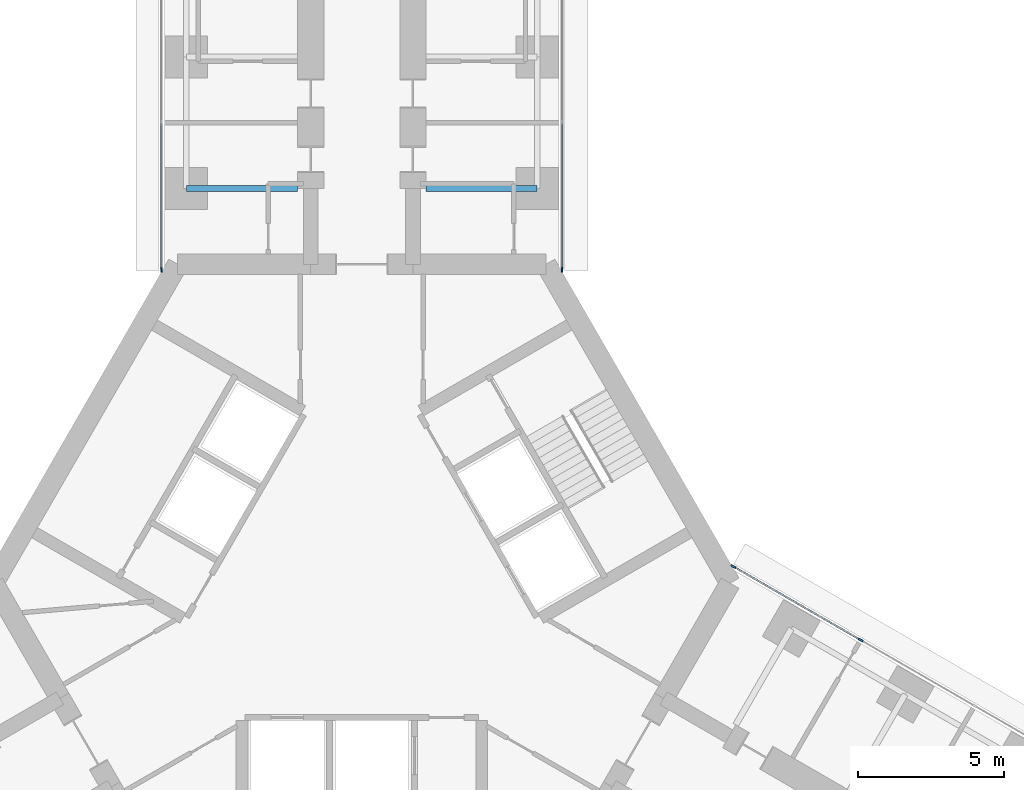
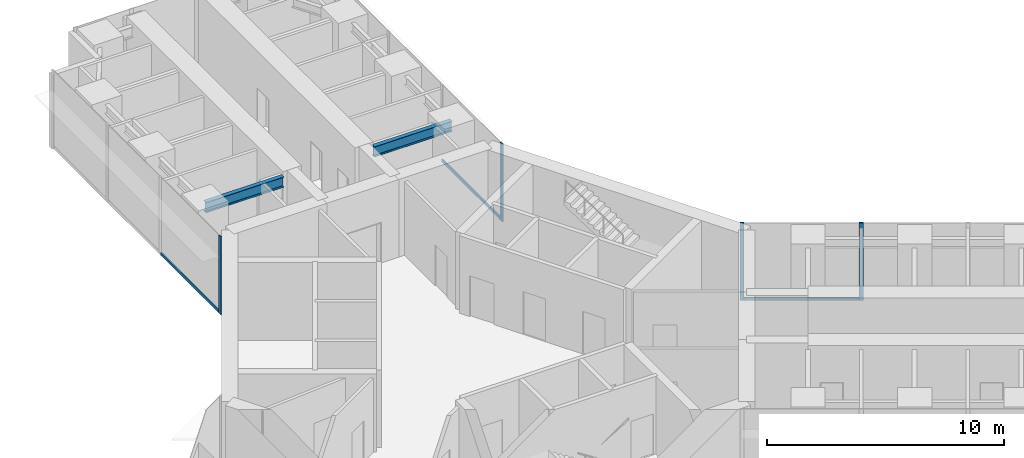
# One storey, part 11 of 24: 7 members, 2 beams, 3 elements without a shape of their own.
"""IFC4 building model written with IfcOpenShell, lengths in metres."""

import ifcopenshell
import ifcopenshell.guid

model = None  # the IFC model being written
_history = None  # IfcOwnerHistory: only IFC2X3 demands one
_inside = {}  # id of a spatial element -> (the spatial element, [elements in it])
_under = {}  # id of a project, library or spatial element -> (it, [spatial elements below it])
_declared = {}  # id of a project -> (the project, [libraries it declares])
_typed = {}  # id of a type object -> (the type object, [elements of that type])
_made_of = {}  # id of a material, layer set ... -> (it, [elements and type objects made of it])


def new_model(schema):
    """Start an empty IFC model of exactly this schema.

    Asked for "IFC4X3", IfcOpenShell would pick the latest addendum, in which some entities
    have other attributes; the version numbers below select the first issue.
    IFC2X3 requires an IfcOwnerHistory on every rooted entity: one is made here for all.
    """
    global model, _history
    if schema == "IFC4X3":
        model = ifcopenshell.file(schema_version=(4, 3, 0, 0))
    else:
        model = ifcopenshell.file(schema=schema)
    _inside.clear()
    _under.clear()
    _declared.clear()
    _typed.clear()
    _made_of.clear()
    _history = None
    if model.schema == "IFC2X3":
        org = make("IfcOrganization", Name="unknown")
        user = make(
            "IfcPersonAndOrganization",
            ThePerson=make("IfcPerson", FamilyName="unknown"),
            TheOrganization=org,
        )
        app = make(
            "IfcApplication",
            ApplicationDeveloper=org,
            Version="unknown",
            ApplicationFullName="unknown",
            ApplicationIdentifier="unknown",
        )
        _history = make(
            "IfcOwnerHistory",
            OwningUser=user,
            OwningApplication=app,
            ChangeAction="ADDED",
            CreationDate=0,
        )
    return model


def make(cls, **values):
    """One entity of the class cls with the attributes given. An attribute that is None is left unset."""
    return model.create_entity(
        cls, **{name: value for name, value in values.items() if value is not None}
    )


def rooted(cls, **values):
    """An entity with a GlobalId (a new one), such as an element, a storey or a relation."""
    return make(cls, GlobalId=ifcopenshell.guid.new(), OwnerHistory=_history, **values)


def si_unit(unit_type, name, prefix=None):
    """IfcSIUnit, for example si_unit("LENGTHUNIT", "METRE", prefix="MILLI")."""
    return make("IfcSIUnit", UnitType=unit_type, Prefix=prefix, Name=name)


def assignment(units):
    """IfcUnitAssignment: the units of a project."""
    return None if units is None else make("IfcUnitAssignment", Units=units)


def point(xyz):
    """IfcCartesianPoint."""
    return None if xyz is None else make("IfcCartesianPoint", Coordinates=xyz)


def direction(xyz):
    """IfcDirection."""
    return None if xyz is None else make("IfcDirection", DirectionRatios=xyz)


def frame(location, z_axis=None, x_axis=None):
    """IfcAxis2Placement3D, a coordinate frame: its origin and axes. An axis left out is left unset."""
    return make(
        "IfcAxis2Placement3D",
        Location=point(location),
        Axis=direction(z_axis),
        RefDirection=direction(x_axis),
    )


def frame_2d(location, x_axis=None):
    """IfcAxis2Placement2D, a coordinate frame in the plane: its origin and x axis."""
    return make(
        "IfcAxis2Placement2D", Location=point(location), RefDirection=direction(x_axis)
    )


def origin():
    """The frame at (0, 0, 0) with its axes left unset."""
    return frame((0.0, 0.0, 0.0))


def origin_2d():
    """The frame at (0, 0) in the plane with its x axis left unset."""
    return frame_2d((0.0, 0.0))


def place(relative_to, where):
    """IfcLocalPlacement: puts the frame where relative to a parent placement (None: the world)."""
    return make(
        "IfcLocalPlacement", PlacementRelTo=relative_to, RelativePlacement=where
    )


def context(
    kind, dimensions, precision=None, world=None, true_north=None, identifier=None
):
    """IfcGeometricRepresentationContext, for example the 3D "Model" context."""
    return make(
        "IfcGeometricRepresentationContext",
        ContextIdentifier=identifier,
        ContextType=kind,
        CoordinateSpaceDimension=dimensions,
        Precision=precision,
        WorldCoordinateSystem=world,
        TrueNorth=true_north,
    )


def subcontext(parent, identifier, kind, view, scale=None):
    """IfcGeometricRepresentationSubContext, for example "Body" below "Model"."""
    return make(
        "IfcGeometricRepresentationSubContext",
        ContextIdentifier=identifier,
        ContextType=kind,
        ParentContext=parent,
        TargetScale=scale,
        TargetView=view,
    )


def project(units=None, contexts=None):
    """IfcProject with its units and contexts."""
    return rooted(
        "IfcProject",
        Name="project",
        RepresentationContexts=contexts,
        UnitsInContext=assignment(units),
    )


def spatial(cls, under=None, at=None, **own):
    """A site, building, storey or space (cls), placed at a placement, below another one or the project."""
    s = rooted(cls, ObjectPlacement=at, **own)
    if under is not None:
        _under.setdefault(under.id(), (under, []))[1].append(s)
    return s


def profile(cls, at=None, kind="AREA", **sizes):
    """A parametric profile (cls). Its sizes go by their IFC names, for example OverallWidth=200.0."""
    return make(cls, ProfileType=kind, Position=at, **sizes)


def rectangle(**sizes):
    """IfcRectangleProfileDef."""
    return profile("IfcRectangleProfileDef", **sizes)


def i_section(**sizes):
    """IfcIShapeProfileDef."""
    return profile("IfcIShapeProfileDef", **sizes)


def extrude(swept, where, along, depth):
    """IfcExtrudedAreaSolid: the profile swept, set in the frame where, extruded along a direction by depth."""
    return make(
        "IfcExtrudedAreaSolid",
        SweptArea=swept,
        Position=where,
        ExtrudedDirection=direction(along),
        Depth=depth,
    )


def shape(context_of_items, identifier, shape_type, items):
    """IfcShapeRepresentation: the items that make up one representation, for example the "Body"."""
    return make(
        "IfcShapeRepresentation",
        ContextOfItems=context_of_items,
        RepresentationIdentifier=identifier,
        RepresentationType=shape_type,
        Items=items,
    )


def material(Name=None, Category=None):
    """IfcMaterial."""
    return make("IfcMaterial", Name=Name, Category=Category)


def material_profile(
    of_material, cross_section, Name=None, Category=None, Priority=None
):
    """IfcMaterialProfile: a cross section and its material."""
    return make(
        "IfcMaterialProfile",
        Name=Name,
        Material=of_material,
        Profile=cross_section,
        Priority=Priority,
        Category=Category,
    )


def profile_set(profiles, Name=None, composite=None):
    """IfcMaterialProfileSet."""
    return make(
        "IfcMaterialProfileSet",
        Name=Name,
        MaterialProfiles=profiles,
        CompositeProfile=composite,
    )


def made_of(thing, what):
    """Note that an element or type object is made of a material, layer set ...; save() writes the relation."""
    if what is not None:
        _made_of.setdefault(what.id(), (what, []))[1].append(thing)
    return thing


def type_object(cls, material=None, **own):
    """A type object (cls), such as IfcWallType, which elements share."""
    return made_of(rooted(cls, **own), material)


def element(
    cls,
    number,
    at=None,
    inside=None,
    cuts=None,
    type_object=None,
    material=None,
    context=None,
    identifier="Body",
    shape_type=None,
    held_by="IfcProductDefinitionShape",
    body=None,
    shapes=None,
    **own,
):
    """One element of the class cls, such as IfcWall. Its Tag is "e" and its number.

    at: its placement. inside: the storey or other place that contains it. cuts: it is an
    opening in that element (IfcRelVoidsElement). A single representation is given by context,
    identifier, shape_type and body (its items); several are given by shapes. held_by: the class
    of the entity that holds the representations. save() writes the other relations.
    """
    e = rooted(cls, Tag="e%d" % number, ObjectPlacement=at, **own)
    if body is not None:
        shapes = [shape(context, identifier, shape_type, body)]
    if shapes is not None:
        e.Representation = make(held_by, Representations=shapes)
    if inside is not None:
        _inside.setdefault(inside.id(), (inside, []))[1].append(e)
    if cuts is not None:
        rooted(
            "IfcRelVoidsElement", RelatingBuildingElement=cuts, RelatedOpeningElement=e
        )
    if type_object is not None:
        _typed.setdefault(type_object.id(), (type_object, []))[1].append(e)
    return made_of(e, material)


def aggregate(whole, parts):
    """IfcRelAggregates: a whole, such as a stair, and the parts it consists of."""
    return rooted("IfcRelAggregates", RelatingObject=whole, RelatedObjects=parts)


def save(model, path):
    """Write the relations noted so far, then the file.

    IfcRelAggregates (storeys below a building ...), IfcRelContainedInSpatialStructure (elements
    in a storey), IfcRelDefinesByType, IfcRelAssociatesMaterial and IfcRelDeclares: one each for
    every whole, place, type object, material and project.
    """
    for whole, parts in _under.values():
        aggregate(whole, parts)
    for where, things in _inside.values():
        rooted(
            "IfcRelContainedInSpatialStructure",
            RelatedElements=things,
            RelatingStructure=where,
        )
    for kind, things in _typed.values():
        rooted("IfcRelDefinesByType", RelatedObjects=things, RelatingType=kind)
    for what, things in _made_of.values():
        rooted("IfcRelAssociatesMaterial", RelatedObjects=things, RelatingMaterial=what)
    for by, libraries in _declared.values():
        rooted("IfcRelDeclares", RelatingContext=by, RelatedDefinitions=libraries)
    model.write(path)


model = new_model("IFC4")

# Units and contexts
model_context = context("Model", 3, precision=1e-05, world=origin(), true_north=direction((0.0, 1.0)))
body_context = subcontext(model_context, "Body", "Model", "MODEL_VIEW")
ifc_project = project(units=[si_unit("LENGTHUNIT", "METRE"), si_unit("AREAUNIT", "SQUARE_METRE"), si_unit("VOLUMEUNIT", "CUBIC_METRE"), si_unit("PLANEANGLEUNIT", "RADIAN"), si_unit("MASSUNIT", "GRAM", prefix="KILO")], contexts=[model_context])

# Site, building, storey
site_placement = place(None, origin())
site = spatial("IfcSite", under=ifc_project, at=site_placement, CompositionType="ELEMENT")
building_placement = place(site_placement, origin())
building = spatial("IfcBuilding", under=site, at=building_placement, Name="Upepo Twin Towers", CompositionType="ELEMENT")
storey_placement = place(building_placement, frame((0.0, 0.0, 60.5)))
storey = spatial("IfcBuildingStorey", under=building, at=storey_placement, Name="L14", CompositionType="ELEMENT", Elevation=60.5)

# Beams
ifc_material_1 = material(Name="Steel S355", Category="steel")
ifc_material_profile_1 = material_profile(ifc_material_1, i_section(OverallWidth=0.209228515625, OverallDepth=0.533203125, WebThickness=0.010009765625, FlangeThickness=0.015625, FilletRadius=0.0126953125, at=origin_2d()), Name="UB 533x210x92")
ifc_profile_set_1 = profile_set([ifc_material_profile_1], Name="Steel S355")
beam_type = type_object("IfcBeamType", Name="Beam UB 533x210x92", PredefinedType="BEAM", material=ifc_profile_set_1)
for number, where, z_axis, x_axis, name in (
    (1, (52.5, -4.5, 3.533447265625), (1.0, 0.0, 0.0), (0.0, 1.0, 0.0), "T2 girder AL at 13.5"),
    (2, (64.5, -4.5, 3.533447265625), (-1.0, 0.0, 0.0), (0.0, -1.0, 0.0), "T2 girder AR at 13.5"),
):
    element("IfcBeam", number, at=place(storey_placement, frame(where, z_axis=z_axis, x_axis=x_axis)), inside=storey, type_object=beam_type, Name=name, PredefinedType="BEAM", context=body_context, shape_type="SweptSolid", body=[
        extrude(i_section(OverallWidth=0.209228515625, OverallDepth=0.533203125, WebThickness=0.010009765625, FlangeThickness=0.015625, FilletRadius=0.0126953125, at=origin_2d()), origin(), (0.0, 0.0, 1.0), 3.800048828125),
    ])

# Curtain wall, member
ifc_material_2 = material(Name="Aluminium and fritted glass", Category="aluminium")
curtain_wall_type = type_object("IfcCurtainWallType", Name="Tower curtain wall TW1, fritted glass", PredefinedType="NOTDEFINED", material=ifc_material_2)
curtain_wall_1_placement = place(storey_placement, origin())
curtain_wall_1 = element("IfcCurtainWall", 3, at=curtain_wall_1_placement, inside=storey, type_object=curtain_wall_type, Name="T2 L14 wing A flank L curtain wall", PredefinedType="NOTDEFINED")
ifc_material_3 = material(Name="Aluminium mullion", Category="aluminium")
ifc_material_profile_2 = material_profile(ifc_material_3, rectangle(XDim=0.06494140625, YDim=0.179931640625, at=origin_2d()), Name="MULLION 65x180")
ifc_profile_set_2 = profile_set([ifc_material_profile_2], Name="Aluminium mullion")
member_type_1 = type_object("IfcMemberType", Name="Mullion 65x180 TW1", PredefinedType="MULLION", material=ifc_profile_set_2)
member_1_placement = place(storey_placement, frame((51.64990234375, -7.2802734375, 0.0), z_axis=(0.0, 0.0, 1.0), x_axis=(-1.0, 0.0, 0.0)))
member_1 = element("IfcMember", 4, at=member_1_placement, type_object=member_type_1, Name="T2 L14 wing A flank L curtain wall mullion 1", PredefinedType="MULLION", context=body_context, shape_type="SweptSolid", body=[
    extrude(rectangle(XDim=0.06494140625, YDim=0.179931640625, at=origin_2d()), origin(), (0.0, 0.0, 1.0), 4.0),
])

curtain_wall_2_placement = place(storey_placement, origin())
curtain_wall_2 = element("IfcCurtainWall", 5, at=curtain_wall_2_placement, inside=storey, type_object=curtain_wall_type, Name="T2 L14 wing A flank R curtain wall", PredefinedType="NOTDEFINED")
member_2_placement = place(storey_placement, frame((65.35009765625, -7.2802734375, 0.0), z_axis=(0.0, 0.0, 1.0), x_axis=(1.0, 0.0, 0.0)))
member_2 = element("IfcMember", 6, at=member_2_placement, type_object=member_type_1, Name="T2 L14 wing A flank R curtain wall mullion 4", PredefinedType="MULLION", context=body_context, shape_type="SweptSolid", body=[
    extrude(rectangle(XDim=0.06494140625, YDim=0.179931640625, at=origin_2d()), origin(), (0.0, 0.0, 1.0), 4.0),
])

# Curtain wall, members
curtain_wall_3_placement = place(storey_placement, origin())
curtain_wall_3 = element("IfcCurtainWall", 7, at=curtain_wall_3_placement, inside=storey, type_object=curtain_wall_type, Name="T2 L14 wing C flank L curtain wall", PredefinedType="NOTDEFINED")
member_3_placement = place(storey_placement, frame((71.20849609375, -17.427490234375, 0.0), z_axis=(0.0, 0.0, 1.0), x_axis=(0.500000024426, 0.866025389682, 0.0)))
member_3 = element("IfcMember", 8, at=member_3_placement, type_object=member_type_1, Name="T2 L14 wing C flank L curtain wall mullion 1", PredefinedType="MULLION", context=body_context, shape_type="SweptSolid", body=[
    extrude(rectangle(XDim=0.06494140625, YDim=0.179931640625, at=origin_2d()), origin(), (0.0, 0.0, 1.0), 4.0),
])
member_4_placement = place(storey_placement, frame((75.56494140625, -19.942626953125, 0.0), z_axis=(0.0, 0.0, 1.0), x_axis=(0.500000024426, 0.866025389682, 0.0)))
member_4 = element("IfcMember", 9, at=member_4_placement, type_object=member_type_1, Name="T2 L14 wing C flank L curtain wall mullion 2", PredefinedType="MULLION", context=body_context, shape_type="SweptSolid", body=[
    extrude(rectangle(XDim=0.06494140625, YDim=0.179931640625, at=origin_2d()), origin(), (0.0, 0.0, 1.0), 4.0),
])

# Member
ifc_material_4 = material(Name="Aluminium transom", Category="aluminium")
ifc_material_profile_3 = material_profile(ifc_material_4, rectangle(XDim=0.06494140625, YDim=0.14990234375, at=origin_2d()), Name="TRANSOM 65x150")
ifc_profile_set_3 = profile_set([ifc_material_profile_3], Name="Aluminium transom")
member_type_2 = type_object("IfcMemberType", Name="Transom 65x150 TW1", PredefinedType="USERDEFINED", material=ifc_profile_set_3)
member_5_placement = place(storey_placement, frame((51.64990234375, -7.247802734375, 0.074951171875), z_axis=(0.0, 1.0, 0.0), x_axis=(-1.0, 0.0, 0.0)))
member_5 = element("IfcMember", 10, at=member_5_placement, type_object=member_type_2, Name="T2 L14 wing A flank L curtain wall transom 1", ObjectType="TRANSOM", PredefinedType="USERDEFINED", context=body_context, shape_type="SweptSolid", body=[
    extrude(rectangle(XDim=0.06494140625, YDim=0.14990234375, at=origin_2d()), origin(), (0.0, 0.0, 1.0), 4.96533203125),
])

aggregate(curtain_wall_1, [member_1, member_5])

member_6_placement = place(storey_placement, frame((65.35009765625, -2.282470703125, 0.074951171875), z_axis=(0.0, -1.0, 0.0), x_axis=(1.0, 0.0, 0.0)))
member_6 = element("IfcMember", 11, at=member_6_placement, type_object=member_type_2, Name="T2 L14 wing A flank R curtain wall transom 3", ObjectType="TRANSOM", PredefinedType="USERDEFINED", context=body_context, shape_type="SweptSolid", body=[
    extrude(rectangle(XDim=0.06494140625, YDim=0.14990234375, at=origin_2d()), origin(), (0.0, 0.0, 1.0), 4.96533203125),
])

aggregate(curtain_wall_2, [member_2, member_6])

member_7_placement = place(storey_placement, frame((71.236572265625, -17.44384765625, 0.074951171875), z_axis=(0.866034933967, -0.499983492876, 0.0), x_axis=(0.499983492876, 0.866034933967, 0.0)))
member_7 = element("IfcMember", 12, at=member_7_placement, type_object=member_type_2, Name="T2 L14 wing C flank L curtain wall transom 1", ObjectType="TRANSOM", PredefinedType="USERDEFINED", context=body_context, shape_type="SweptSolid", body=[
    extrude(rectangle(XDim=0.06494140625, YDim=0.14990234375, at=origin_2d()), origin(), (0.0, 0.0, 1.0), 4.965576171875),
])

aggregate(curtain_wall_3, [member_3, member_4, member_7])

save(model, "model.ifc")
